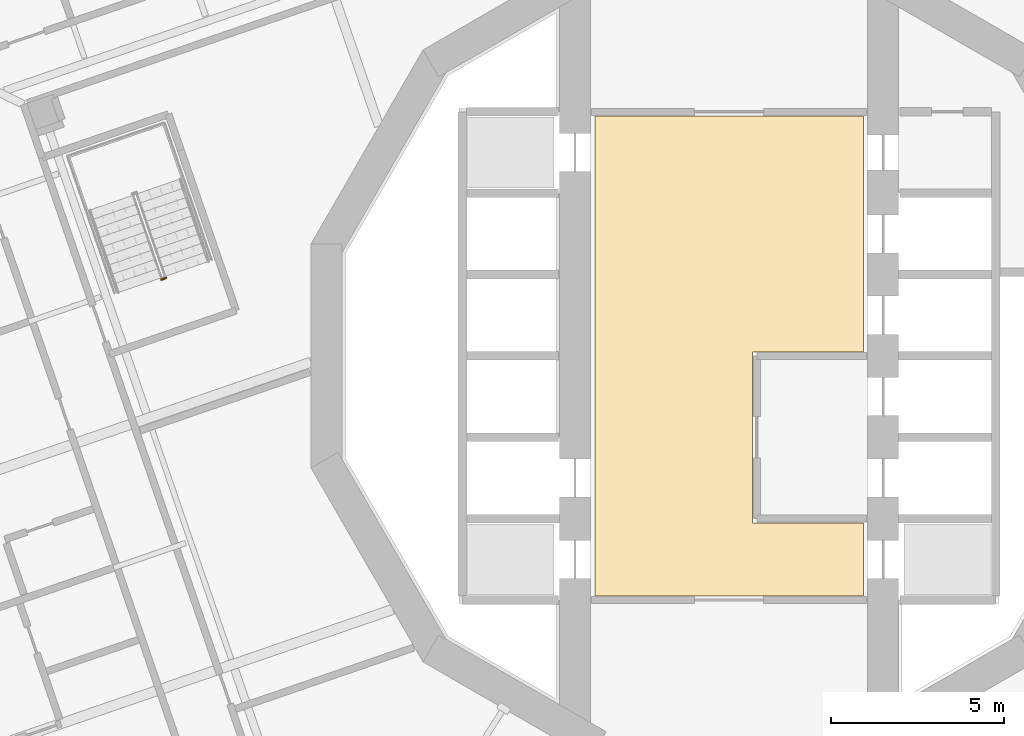
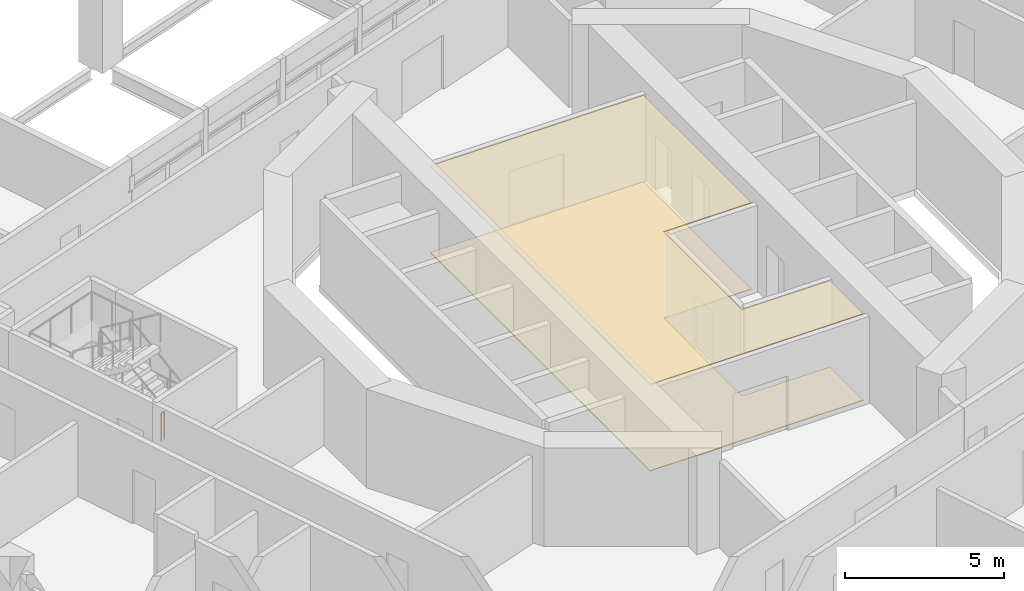
# One storey, part 16 of 22: 2 coverings, 1 railing.
"""IFC4 building model written with IfcOpenShell, lengths in metres."""

from ifc_helpers import new_model, si_unit, direction, frame, origin, origin_2d, place, context, subcontext, project, spatial, polyline, circle, outline, extrude, material, layer, layer_set, type_object, element, save


model = new_model("IFC4")

# Units and contexts
model_context = context("Model", 3, precision=1e-05, world=origin(), true_north=direction((0.0, 1.0)))
body_context = subcontext(model_context, "Body", "Model", "MODEL_VIEW")
ifc_project = project(units=[si_unit("LENGTHUNIT", "METRE"), si_unit("AREAUNIT", "SQUARE_METRE"), si_unit("VOLUMEUNIT", "CUBIC_METRE"), si_unit("PLANEANGLEUNIT", "RADIAN"), si_unit("MASSUNIT", "GRAM", prefix="KILO")], contexts=[model_context])

# Site, building, storey
site_placement = place(None, origin())
site = spatial("IfcSite", under=ifc_project, at=site_placement, CompositionType="ELEMENT")
building_placement = place(site_placement, origin())
building = spatial("IfcBuilding", under=site, at=building_placement, Name="Cantera Rosa Tower", CompositionType="ELEMENT")
storey_placement = place(building_placement, frame((0.0, 0.0, 138.300048828125)))
storey = spatial("IfcBuildingStorey", under=building, at=storey_placement, Name="L29", CompositionType="ELEMENT", Elevation=138.300048828125)

# Railing
ifc_material_1 = material(Name="Steel S355J2 (EN 10025-2)", Category="steel")
railing_type = type_object("IfcRailingType", Name="STAIR GUARD 1100", PredefinedType="GUARDRAIL", material=ifc_material_1)
railing_placement = place(storey_placement, frame((-16.257080078125, 2.25341796875, 0.0)))
element("IfcRailing", 1, at=railing_placement, inside=storey, type_object=railing_type, Name="L29 ST-22 stair guard 3", PredefinedType="GUARDRAIL", context=body_context, shape_type="SweptSolid", body=[
    extrude(circle(Radius=0.02392578125, at=origin_2d()), frame((0.0, 0.0, 1.076171875), z_axis=(-0.945545797087, -0.325489086777, 0.0), x_axis=(0.325489086777, -0.945545797087, 0.0)), (0.0, 0.0, 1.0), 0.14990234375),
    extrude(circle(Radius=0.02099609375, at=origin_2d()), origin(), (0.0, 0.0, 1.0), 1.052001953125),
    extrude(circle(Radius=0.02099609375, at=origin_2d()), frame((-0.141845703125, -0.048828125, 0.0)), (0.0, 0.0, 1.0), 1.052001953125),
])

# Coverings
ifc_material_2 = material(Name="Limestone paving", Category="masonry")
ifc_layer_1 = layer(ifc_material_2, 0.02490234375)
ifc_layer_set_1 = layer_set([ifc_layer_1], Name="STONE FLOOR FINISH 25")
covering_type_1 = type_object("IfcCoveringType", Name="STONE FLOOR FINISH 25", PredefinedType="FLOORING", material=ifc_layer_set_1)
covering_1_placement = place(storey_placement, origin())
element("IfcCovering", 2, at=covering_1_placement, inside=storey, type_object=covering_type_1, Name="STONE FLOOR FINISH L29", PredefinedType="FLOORING", context=body_context, shape_type="SweptSolid", body=[
    extrude(outline(polyline([(3.8798828125, 6.929931640625), (3.8798828125, 0.1201171875), (0.679931640625, 0.1201171875), (0.679931640625, -4.820068359375), (3.8798828125, -4.820068359375), (3.8798828125, -6.929931640625), (-3.8798828125, -6.929931640625), (-3.8798828125, 6.929931640625), (3.8798828125, 6.929931640625)])), origin(), (0.0, 0.0, 1.0), 0.02490234375),
])
ifc_material_3 = material(Name="Gypsum ceiling tile")
ifc_layer_2 = layer(ifc_material_3, 0.030029296875)
ifc_layer_set_2 = layer_set([ifc_layer_2], Name="SUSPENDED CEILING 30")
covering_type_2 = type_object("IfcCoveringType", Name="SUSPENDED CEILING 30", PredefinedType="CEILING", material=ifc_layer_set_2)
covering_2_placement = place(storey_placement, frame((0.0, 0.0, 3.320068359375)))
element("IfcCovering", 3, at=covering_2_placement, inside=storey, type_object=covering_type_2, Name="SUSPENDED CEILING L29", PredefinedType="CEILING", context=body_context, shape_type="SweptSolid", body=[
    extrude(outline(polyline([(3.8798828125, 6.929931640625), (3.8798828125, 0.1201171875), (0.679931640625, 0.1201171875), (0.679931640625, -4.820068359375), (3.8798828125, -4.820068359375), (3.8798828125, -6.929931640625), (-3.8798828125, -6.929931640625), (-3.8798828125, 6.929931640625), (3.8798828125, 6.929931640625)])), origin(), (0.0, 0.0, 1.0), 0.02978515625),
])

save(model, "model.ifc")
